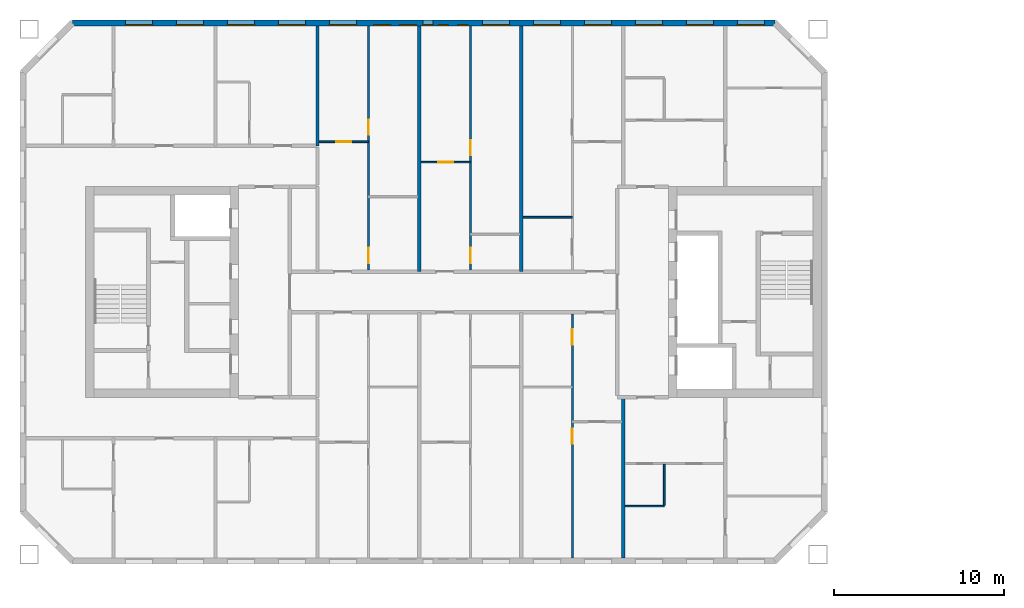
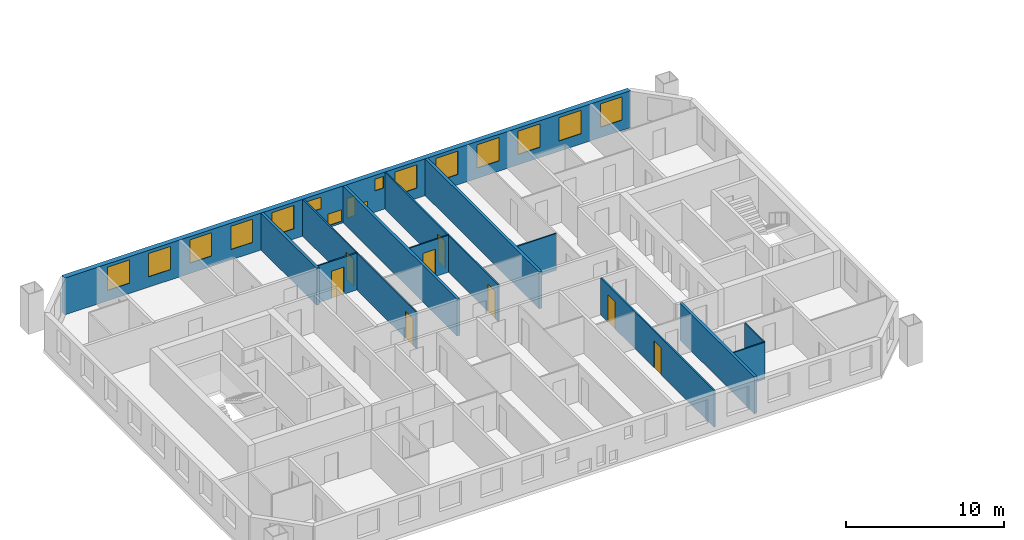
# One storey, part 5 of 15: 16 windows, 13 walls, 8 doors, 24 openings.
"""IFC4 building model written with IfcOpenShell, lengths in metres."""

from ifc_helpers import new_model, si_unit, direction, frame, frame_2d, origin, place, context, subcontext, project, spatial, rectangle, extrude, material, layer, layer_set, type_object, element, fill, save


model = new_model("IFC4")

# Units and contexts
model_context = context("Model", 3, precision=1e-05, world=origin(), true_north=direction((0.0, 1.0)))
body_context = subcontext(model_context, "Body", "Model", "MODEL_VIEW")
ifc_project = project(units=[si_unit("LENGTHUNIT", "METRE"), si_unit("AREAUNIT", "SQUARE_METRE"), si_unit("VOLUMEUNIT", "CUBIC_METRE"), si_unit("PLANEANGLEUNIT", "RADIAN"), si_unit("MASSUNIT", "GRAM", prefix="KILO")], contexts=[model_context])

# Site, building, storey
site_placement = place(None, origin())
site = spatial("IfcSite", under=ifc_project, at=site_placement, CompositionType="ELEMENT")
building_placement = place(site_placement, origin())
building = spatial("IfcBuilding", under=site, at=building_placement, Name="Tuart Gate Housing", CompositionType="ELEMENT")
storey_placement = place(building_placement, frame((0.0, 0.0, 164.0)))
storey = spatial("IfcBuildingStorey", under=building, at=storey_placement, Name="L46", CompositionType="ELEMENT", Elevation=164.0)

# Wall, openings, windows
ifc_material_1 = material(Name="Brick", Category="masonry")
ifc_layer_1 = layer(ifc_material_1, 0.360107421875)
ifc_layer_set_1 = layer_set([ifc_layer_1], Name="Brick pier and spandrel wall 360")
wall_type_1 = type_object("IfcWallType", Name="Brick pier and spandrel wall 360", PredefinedType="STANDARD", material=ifc_layer_set_1)
wall_1_placement = place(storey_placement, frame((72.92529296875, 85.820068359375, 0.0), z_axis=(0.0, 0.0, 1.0), x_axis=(-1.0, 0.0, 0.0)))
wall_1 = element("IfcWall", 1, at=wall_1_placement, inside=storey, type_object=wall_type_1, Name="External wall A-N L46", PredefinedType="STANDARD", context=body_context, shape_type="SweptSolid", body=[
    extrude(rectangle(XDim=41.350830078125, YDim=0.360107421875, at=frame_2d((20.67529296875, 0.0))), origin(), (0.0, 0.0, 1.0), 2.85009765625),
])
opening_1_placement = place(wall_1_placement, frame((0.62548828125, 0.0, 0.800048828125)))
opening_1 = element("IfcOpeningElement", 2, at=opening_1_placement, cuts=wall_1, Name="Opening W1", PredefinedType="OPENING", context=body_context, shape_type="SweptSolid", body=[
    extrude(rectangle(XDim=1.60009765625, YDim=1.800048828125, at=frame_2d((0.800048828125, 0.89990234375))), frame((0.0, 0.18994140625, 0.0), z_axis=(0.0, -1.0, 0.0), x_axis=(1.0, 0.0, 0.0)), (0.0, 0.0, 1.0), 0.380126953125),
])
opening_2_placement = place(wall_1_placement, frame((3.62548828125, 0.0, 0.800048828125)))
opening_2 = element("IfcOpeningElement", 3, at=opening_2_placement, cuts=wall_1, Name="Opening W1", PredefinedType="OPENING", context=body_context, shape_type="SweptSolid", body=[
    extrude(rectangle(XDim=1.60009765625, YDim=1.800048828125, at=frame_2d((0.800048828125, 0.89990234375))), frame((0.0, 0.18994140625, 0.0), z_axis=(0.0, -1.0, 0.0), x_axis=(1.0, 0.0, 0.0)), (0.0, 0.0, 1.0), 0.380126953125),
])
opening_3_placement = place(wall_1_placement, frame((6.62548828125, 0.0, 0.800048828125)))
opening_3 = element("IfcOpeningElement", 4, at=opening_3_placement, cuts=wall_1, Name="Opening W1", PredefinedType="OPENING", context=body_context, shape_type="SweptSolid", body=[
    extrude(rectangle(XDim=1.60009765625, YDim=1.800048828125, at=frame_2d((0.800048828125, 0.89990234375))), frame((0.0, 0.18994140625, 0.0), z_axis=(0.0, -1.0, 0.0), x_axis=(1.0, 0.0, 0.0)), (0.0, 0.0, 1.0), 0.380126953125),
])
opening_4_placement = place(wall_1_placement, frame((9.62548828125, 0.0, 0.800048828125)))
opening_4 = element("IfcOpeningElement", 5, at=opening_4_placement, cuts=wall_1, Name="Opening W1", PredefinedType="OPENING", context=body_context, shape_type="SweptSolid", body=[
    extrude(rectangle(XDim=1.60009765625, YDim=1.800048828125, at=frame_2d((0.800048828125, 0.89990234375))), frame((0.0, 0.18994140625, 0.0), z_axis=(0.0, -1.0, 0.0), x_axis=(1.0, 0.0, 0.0)), (0.0, 0.0, 1.0), 0.380126953125),
])
opening_5_placement = place(wall_1_placement, frame((12.62548828125, 0.0, 0.800048828125)))
opening_5 = element("IfcOpeningElement", 6, at=opening_5_placement, cuts=wall_1, Name="Opening W1", PredefinedType="OPENING", context=body_context, shape_type="SweptSolid", body=[
    extrude(rectangle(XDim=1.60009765625, YDim=1.800048828125, at=frame_2d((0.800048828125, 0.89990234375))), frame((0.0, 0.18994140625, 0.0), z_axis=(0.0, -1.0, 0.0), x_axis=(1.0, 0.0, 0.0)), (0.0, 0.0, 1.0), 0.380126953125),
])
opening_6_placement = place(wall_1_placement, frame((15.62548828125, 0.0, 0.800048828125)))
opening_6 = element("IfcOpeningElement", 7, at=opening_6_placement, cuts=wall_1, Name="Opening W1", PredefinedType="OPENING", context=body_context, shape_type="SweptSolid", body=[
    extrude(rectangle(XDim=1.60009765625, YDim=1.800048828125, at=frame_2d((0.800048828125, 0.89990234375))), frame((0.0, 0.18994140625, 0.0), z_axis=(0.0, -1.0, 0.0), x_axis=(1.0, 0.0, 0.0)), (0.0, 0.0, 1.0), 0.380126953125),
])
opening_7_placement = place(wall_1_placement, frame((18.075439453125, 0.0, 1.64990234375)))
opening_7 = element("IfcOpeningElement", 8, at=opening_7_placement, cuts=wall_1, Name="Opening W1W", PredefinedType="OPENING", context=body_context, shape_type="SweptSolid", body=[
    extrude(rectangle(XDim=0.60009765625, YDim=0.89990234375, at=frame_2d((0.300048828125, 0.449951171875))), frame((0.0, 0.18994140625, 0.0), z_axis=(0.0, -1.0, 0.0), x_axis=(1.0, 0.0, 0.0)), (0.0, 0.0, 1.0), 0.380126953125),
])
opening_8_placement = place(wall_1_placement, frame((21.12548828125, 0.0, 0.14990234375)))
opening_8 = element("IfcOpeningElement", 9, at=opening_8_placement, cuts=wall_1, Name="Opening W1U", PredefinedType="OPENING", context=body_context, shape_type="SweptSolid", body=[
    extrude(rectangle(XDim=1.0, YDim=0.89990234375, at=frame_2d((0.5, 0.449951171875))), frame((0.0, 0.18994140625, 0.0), z_axis=(0.0, -1.0, 0.0), x_axis=(1.0, 0.0, 0.0)), (0.0, 0.0, 1.0), 0.380126953125),
])
opening_9_placement = place(wall_1_placement, frame((24.62548828125, 0.0, 0.800048828125)))
opening_9 = element("IfcOpeningElement", 10, at=opening_9_placement, cuts=wall_1, Name="Opening W1", PredefinedType="OPENING", context=body_context, shape_type="SweptSolid", body=[
    extrude(rectangle(XDim=1.60009765625, YDim=1.800048828125, at=frame_2d((0.800048828125, 0.89990234375))), frame((0.0, 0.18994140625, 0.0), z_axis=(0.0, -1.0, 0.0), x_axis=(1.0, 0.0, 0.0)), (0.0, 0.0, 1.0), 0.380126953125),
])
opening_10_placement = place(wall_1_placement, frame((27.62548828125, 0.0, 0.800048828125)))
opening_10 = element("IfcOpeningElement", 11, at=opening_10_placement, cuts=wall_1, Name="Opening W1", PredefinedType="OPENING", context=body_context, shape_type="SweptSolid", body=[
    extrude(rectangle(XDim=1.60009765625, YDim=1.800048828125, at=frame_2d((0.800048828125, 0.89990234375))), frame((0.0, 0.18994140625, 0.0), z_axis=(0.0, -1.0, 0.0), x_axis=(1.0, 0.0, 0.0)), (0.0, 0.0, 1.0), 0.380126953125),
])
opening_11_placement = place(wall_1_placement, frame((30.62548828125, 0.0, 0.800048828125)))
opening_11 = element("IfcOpeningElement", 12, at=opening_11_placement, cuts=wall_1, Name="Opening W1", PredefinedType="OPENING", context=body_context, shape_type="SweptSolid", body=[
    extrude(rectangle(XDim=1.60009765625, YDim=1.800048828125, at=frame_2d((0.800048828125, 0.89990234375))), frame((0.0, 0.18994140625, 0.0), z_axis=(0.0, -1.0, 0.0), x_axis=(1.0, 0.0, 0.0)), (0.0, 0.0, 1.0), 0.380126953125),
])
opening_12_placement = place(wall_1_placement, frame((33.62548828125, 0.0, 0.800048828125)))
opening_12 = element("IfcOpeningElement", 13, at=opening_12_placement, cuts=wall_1, Name="Opening W1", PredefinedType="OPENING", context=body_context, shape_type="SweptSolid", body=[
    extrude(rectangle(XDim=1.60009765625, YDim=1.800048828125, at=frame_2d((0.800048828125, 0.89990234375))), frame((0.0, 0.18994140625, 0.0), z_axis=(0.0, -1.0, 0.0), x_axis=(1.0, 0.0, 0.0)), (0.0, 0.0, 1.0), 0.380126953125),
])
opening_13_placement = place(wall_1_placement, frame((36.62548828125, 0.0, 0.800048828125)))
opening_13 = element("IfcOpeningElement", 14, at=opening_13_placement, cuts=wall_1, Name="Opening W1", PredefinedType="OPENING", context=body_context, shape_type="SweptSolid", body=[
    extrude(rectangle(XDim=1.60009765625, YDim=1.800048828125, at=frame_2d((0.800048828125, 0.89990234375))), frame((0.0, 0.18994140625, 0.0), z_axis=(0.0, -1.0, 0.0), x_axis=(1.0, 0.0, 0.0)), (0.0, 0.0, 1.0), 0.380126953125),
])
opening_14_placement = place(wall_1_placement, frame((19.225341796875, 0.0, 0.14990234375)))
opening_14 = element("IfcOpeningElement", 15, at=opening_14_placement, cuts=wall_1, Name="Opening W1W", PredefinedType="OPENING", context=body_context, shape_type="SweptSolid", body=[
    extrude(rectangle(XDim=0.60009765625, YDim=0.89990234375, at=frame_2d((0.300048828125, 0.449951171875))), frame((0.0, 0.18994140625, 0.0), z_axis=(0.0, -1.0, 0.0), x_axis=(1.0, 0.0, 0.0)), (0.0, 0.0, 1.0), 0.380126953125),
])
opening_15_placement = place(wall_1_placement, frame((20.12548828125, 0.0, 0.25)))
opening_15 = element("IfcOpeningElement", 16, at=opening_15_placement, cuts=wall_1, Name="Opening W1K", PredefinedType="OPENING", context=body_context, shape_type="SweptSolid", body=[
    extrude(rectangle(XDim=0.60009765625, YDim=1.5, at=frame_2d((0.300048828125, 0.75))), frame((0.0, 0.18994140625, 0.0), z_axis=(0.0, -1.0, 0.0), x_axis=(1.0, 0.0, 0.0)), (0.0, 0.0, 1.0), 0.380126953125),
])
opening_16_placement = place(wall_1_placement, frame((22.62548828125, 0.0, 1.64990234375)))
opening_16 = element("IfcOpeningElement", 17, at=opening_16_placement, cuts=wall_1, Name="Opening W1U", PredefinedType="OPENING", context=body_context, shape_type="SweptSolid", body=[
    extrude(rectangle(XDim=1.0, YDim=0.89990234375, at=frame_2d((0.5, 0.449951171875))), frame((0.0, 0.18994140625, 0.0), z_axis=(0.0, -1.0, 0.0), x_axis=(1.0, 0.0, 0.0)), (0.0, 0.0, 1.0), 0.380126953125),
])
ifc_material_2 = material(Name="Aluminium frame with clear glass", Category="aluminium")
window_type_1 = type_object("IfcWindowType", Name="Punched window 1000 x 900", PartitioningType="SINGLE_PANEL", PredefinedType="WINDOW", material=ifc_material_2)
window_1_placement = place(opening_8_placement, origin())
window_1 = element("IfcWindow", 18, at=window_1_placement, inside=storey, type_object=window_type_1, Name="Window W1U", OverallHeight=0.89990234375, OverallWidth=1.0, PartitioningType="SINGLE_PANEL", PredefinedType="WINDOW", context=body_context, shape_type="SweptSolid", body=[
    extrude(rectangle(XDim=1.0, YDim=0.89990234375, at=frame_2d((0.5, 0.449951171875))), frame((0.0, 0.150146484375, 0.0), z_axis=(0.0, -1.0, 0.0), x_axis=(1.0, 0.0, 0.0)), (0.0, 0.0, 1.0), 0.06005859375),
])
fill(opening_8, window_1)
window_2_placement = place(opening_16_placement, origin())
window_2 = element("IfcWindow", 19, at=window_2_placement, inside=storey, type_object=window_type_1, Name="Window W1U", OverallHeight=0.89990234375, OverallWidth=1.0, PartitioningType="SINGLE_PANEL", PredefinedType="WINDOW", context=body_context, shape_type="SweptSolid", body=[
    extrude(rectangle(XDim=1.0, YDim=0.89990234375, at=frame_2d((0.5, 0.449951171875))), frame((0.0, 0.150146484375, 0.0), z_axis=(0.0, -1.0, 0.0), x_axis=(1.0, 0.0, 0.0)), (0.0, 0.0, 1.0), 0.06005859375),
])
fill(opening_16, window_2)
ifc_material_3 = material(Name="Aluminium frame with clear glass", Category="aluminium")
window_type_2 = type_object("IfcWindowType", Name="Punched window 1600 x 1800", PartitioningType="SINGLE_PANEL", PredefinedType="WINDOW", material=ifc_material_3)
window_3_placement = place(opening_1_placement, origin())
window_3 = element("IfcWindow", 20, at=window_3_placement, inside=storey, type_object=window_type_2, Name="Window W1", OverallHeight=1.800048828125, OverallWidth=1.60009765625, PartitioningType="SINGLE_PANEL", PredefinedType="WINDOW", context=body_context, shape_type="SweptSolid", body=[
    extrude(rectangle(XDim=1.60009765625, YDim=1.800048828125, at=frame_2d((0.800048828125, 0.89990234375))), frame((0.0, 0.150146484375, 0.0), z_axis=(0.0, -1.0, 0.0), x_axis=(1.0, 0.0, 0.0)), (0.0, 0.0, 1.0), 0.06005859375),
])
fill(opening_1, window_3)
window_4_placement = place(opening_2_placement, origin())
window_4 = element("IfcWindow", 21, at=window_4_placement, inside=storey, type_object=window_type_2, Name="Window W1", OverallHeight=1.800048828125, OverallWidth=1.60009765625, PartitioningType="SINGLE_PANEL", PredefinedType="WINDOW", context=body_context, shape_type="SweptSolid", body=[
    extrude(rectangle(XDim=1.60009765625, YDim=1.800048828125, at=frame_2d((0.800048828125, 0.89990234375))), frame((0.0, 0.150146484375, 0.0), z_axis=(0.0, -1.0, 0.0), x_axis=(1.0, 0.0, 0.0)), (0.0, 0.0, 1.0), 0.06005859375),
])
fill(opening_2, window_4)
window_5_placement = place(opening_3_placement, origin())
window_5 = element("IfcWindow", 22, at=window_5_placement, inside=storey, type_object=window_type_2, Name="Window W1", OverallHeight=1.800048828125, OverallWidth=1.60009765625, PartitioningType="SINGLE_PANEL", PredefinedType="WINDOW", context=body_context, shape_type="SweptSolid", body=[
    extrude(rectangle(XDim=1.60009765625, YDim=1.800048828125, at=frame_2d((0.800048828125, 0.89990234375))), frame((0.0, 0.150146484375, 0.0), z_axis=(0.0, -1.0, 0.0), x_axis=(1.0, 0.0, 0.0)), (0.0, 0.0, 1.0), 0.06005859375),
])
fill(opening_3, window_5)
window_6_placement = place(opening_4_placement, origin())
window_6 = element("IfcWindow", 23, at=window_6_placement, inside=storey, type_object=window_type_2, Name="Window W1", OverallHeight=1.800048828125, OverallWidth=1.60009765625, PartitioningType="SINGLE_PANEL", PredefinedType="WINDOW", context=body_context, shape_type="SweptSolid", body=[
    extrude(rectangle(XDim=1.60009765625, YDim=1.800048828125, at=frame_2d((0.800048828125, 0.89990234375))), frame((0.0, 0.150146484375, 0.0), z_axis=(0.0, -1.0, 0.0), x_axis=(1.0, 0.0, 0.0)), (0.0, 0.0, 1.0), 0.06005859375),
])
fill(opening_4, window_6)
window_7_placement = place(opening_5_placement, origin())
window_7 = element("IfcWindow", 24, at=window_7_placement, inside=storey, type_object=window_type_2, Name="Window W1", OverallHeight=1.800048828125, OverallWidth=1.60009765625, PartitioningType="SINGLE_PANEL", PredefinedType="WINDOW", context=body_context, shape_type="SweptSolid", body=[
    extrude(rectangle(XDim=1.60009765625, YDim=1.800048828125, at=frame_2d((0.800048828125, 0.89990234375))), frame((0.0, 0.150146484375, 0.0), z_axis=(0.0, -1.0, 0.0), x_axis=(1.0, 0.0, 0.0)), (0.0, 0.0, 1.0), 0.06005859375),
])
fill(opening_5, window_7)
window_8_placement = place(opening_6_placement, origin())
window_8 = element("IfcWindow", 25, at=window_8_placement, inside=storey, type_object=window_type_2, Name="Window W1", OverallHeight=1.800048828125, OverallWidth=1.60009765625, PartitioningType="SINGLE_PANEL", PredefinedType="WINDOW", context=body_context, shape_type="SweptSolid", body=[
    extrude(rectangle(XDim=1.60009765625, YDim=1.800048828125, at=frame_2d((0.800048828125, 0.89990234375))), frame((0.0, 0.150146484375, 0.0), z_axis=(0.0, -1.0, 0.0), x_axis=(1.0, 0.0, 0.0)), (0.0, 0.0, 1.0), 0.06005859375),
])
fill(opening_6, window_8)
window_9_placement = place(opening_9_placement, origin())
window_9 = element("IfcWindow", 26, at=window_9_placement, inside=storey, type_object=window_type_2, Name="Window W1", OverallHeight=1.800048828125, OverallWidth=1.60009765625, PartitioningType="SINGLE_PANEL", PredefinedType="WINDOW", context=body_context, shape_type="SweptSolid", body=[
    extrude(rectangle(XDim=1.60009765625, YDim=1.800048828125, at=frame_2d((0.800048828125, 0.89990234375))), frame((0.0, 0.150146484375, 0.0), z_axis=(0.0, -1.0, 0.0), x_axis=(1.0, 0.0, 0.0)), (0.0, 0.0, 1.0), 0.06005859375),
])
fill(opening_9, window_9)
window_10_placement = place(opening_10_placement, origin())
window_10 = element("IfcWindow", 27, at=window_10_placement, inside=storey, type_object=window_type_2, Name="Window W1", OverallHeight=1.800048828125, OverallWidth=1.60009765625, PartitioningType="SINGLE_PANEL", PredefinedType="WINDOW", context=body_context, shape_type="SweptSolid", body=[
    extrude(rectangle(XDim=1.60009765625, YDim=1.800048828125, at=frame_2d((0.800048828125, 0.89990234375))), frame((0.0, 0.150146484375, 0.0), z_axis=(0.0, -1.0, 0.0), x_axis=(1.0, 0.0, 0.0)), (0.0, 0.0, 1.0), 0.06005859375),
])
fill(opening_10, window_10)
window_11_placement = place(opening_11_placement, origin())
window_11 = element("IfcWindow", 28, at=window_11_placement, inside=storey, type_object=window_type_2, Name="Window W1", OverallHeight=1.800048828125, OverallWidth=1.60009765625, PartitioningType="SINGLE_PANEL", PredefinedType="WINDOW", context=body_context, shape_type="SweptSolid", body=[
    extrude(rectangle(XDim=1.60009765625, YDim=1.800048828125, at=frame_2d((0.800048828125, 0.89990234375))), frame((0.0, 0.150146484375, 0.0), z_axis=(0.0, -1.0, 0.0), x_axis=(1.0, 0.0, 0.0)), (0.0, 0.0, 1.0), 0.06005859375),
])
fill(opening_11, window_11)
window_12_placement = place(opening_12_placement, origin())
window_12 = element("IfcWindow", 29, at=window_12_placement, inside=storey, type_object=window_type_2, Name="Window W1", OverallHeight=1.800048828125, OverallWidth=1.60009765625, PartitioningType="SINGLE_PANEL", PredefinedType="WINDOW", context=body_context, shape_type="SweptSolid", body=[
    extrude(rectangle(XDim=1.60009765625, YDim=1.800048828125, at=frame_2d((0.800048828125, 0.89990234375))), frame((0.0, 0.150146484375, 0.0), z_axis=(0.0, -1.0, 0.0), x_axis=(1.0, 0.0, 0.0)), (0.0, 0.0, 1.0), 0.06005859375),
])
fill(opening_12, window_12)
window_13_placement = place(opening_13_placement, origin())
window_13 = element("IfcWindow", 30, at=window_13_placement, inside=storey, type_object=window_type_2, Name="Window W1", OverallHeight=1.800048828125, OverallWidth=1.60009765625, PartitioningType="SINGLE_PANEL", PredefinedType="WINDOW", context=body_context, shape_type="SweptSolid", body=[
    extrude(rectangle(XDim=1.60009765625, YDim=1.800048828125, at=frame_2d((0.800048828125, 0.89990234375))), frame((0.0, 0.150146484375, 0.0), z_axis=(0.0, -1.0, 0.0), x_axis=(1.0, 0.0, 0.0)), (0.0, 0.0, 1.0), 0.06005859375),
])
fill(opening_13, window_13)
ifc_material_4 = material(Name="Aluminium frame with clear glass", Category="aluminium")
window_type_3 = type_object("IfcWindowType", Name="Punched window 600 x 1500", PartitioningType="SINGLE_PANEL", PredefinedType="WINDOW", material=ifc_material_4)
window_14_placement = place(opening_15_placement, origin())
window_14 = element("IfcWindow", 31, at=window_14_placement, inside=storey, type_object=window_type_3, Name="Window W1K", OverallHeight=1.5, OverallWidth=0.60009765625, PartitioningType="SINGLE_PANEL", PredefinedType="WINDOW", context=body_context, shape_type="SweptSolid", body=[
    extrude(rectangle(XDim=0.60009765625, YDim=1.5, at=frame_2d((0.300048828125, 0.75))), frame((0.0, 0.150146484375, 0.0), z_axis=(0.0, -1.0, 0.0), x_axis=(1.0, 0.0, 0.0)), (0.0, 0.0, 1.0), 0.06005859375),
])
fill(opening_15, window_14)
ifc_material_5 = material(Name="Aluminium frame with clear glass", Category="aluminium")
window_type_4 = type_object("IfcWindowType", Name="Punched window 600 x 900", PartitioningType="SINGLE_PANEL", PredefinedType="WINDOW", material=ifc_material_5)
window_15_placement = place(opening_7_placement, origin())
window_15 = element("IfcWindow", 32, at=window_15_placement, inside=storey, type_object=window_type_4, Name="Window W1W", OverallHeight=0.89990234375, OverallWidth=0.60009765625, PartitioningType="SINGLE_PANEL", PredefinedType="WINDOW", context=body_context, shape_type="SweptSolid", body=[
    extrude(rectangle(XDim=0.60009765625, YDim=0.89990234375, at=frame_2d((0.300048828125, 0.449951171875))), frame((0.0, 0.150146484375, 0.0), z_axis=(0.0, -1.0, 0.0), x_axis=(1.0, 0.0, 0.0)), (0.0, 0.0, 1.0), 0.06005859375),
])
fill(opening_7, window_15)
window_16_placement = place(opening_14_placement, origin())
window_16 = element("IfcWindow", 33, at=window_16_placement, inside=storey, type_object=window_type_4, Name="Window W1W", OverallHeight=0.89990234375, OverallWidth=0.60009765625, PartitioningType="SINGLE_PANEL", PredefinedType="WINDOW", context=body_context, shape_type="SweptSolid", body=[
    extrude(rectangle(XDim=0.60009765625, YDim=0.89990234375, at=frame_2d((0.300048828125, 0.449951171875))), frame((0.0, 0.150146484375, 0.0), z_axis=(0.0, -1.0, 0.0), x_axis=(1.0, 0.0, 0.0)), (0.0, 0.0, 1.0), 0.06005859375),
])
fill(opening_14, window_16)

# Walls
ifc_material_6 = material(Name="Gypsum board on steel studs", Category="steel")
ifc_layer_2 = layer(ifc_material_6, 0.10009765625)
ifc_layer_set_2 = layer_set([ifc_layer_2], Name="Partition 100")
wall_type_2 = type_object("IfcWallType", Name="Partition 100", PredefinedType="PARTITIONING", material=ifc_layer_set_2)
wall_2_placement = place(storey_placement, frame((64.10009765625, 57.39990234375, 0.0), z_axis=(0.0, 0.0, 1.0), x_axis=(1.0, 0.0, 0.0)))
element("IfcWall", 34, at=wall_2_placement, inside=storey, type_object=wall_type_2, Name="Partition 100", PredefinedType="PARTITIONING", context=body_context, shape_type="SweptSolid", body=[
    extrude(rectangle(XDim=2.2998046875, YDim=0.10009765625, at=frame_2d((1.14990234375, 0.0))), origin(), (0.0, 0.0, 1.0), 2.85009765625),
])
wall_3_placement = place(storey_placement, frame((58.10009765625, 74.39990234375, 0.0), z_axis=(0.0, 0.0, 1.0), x_axis=(1.0, 0.0, 0.0)))
element("IfcWall", 35, at=wall_3_placement, inside=storey, type_object=wall_type_2, Name="Partition 100", PredefinedType="PARTITIONING", context=body_context, shape_type="SweptSolid", body=[
    extrude(rectangle(XDim=2.89990234375, YDim=0.10009765625, at=frame_2d((1.449951171875, 0.0))), origin(), (0.0, 0.0, 1.0), 2.85009765625),
])

# Wall, opening, door
wall_4_placement = place(storey_placement, frame((52.10009765625, 77.639892578125, 0.0), z_axis=(0.0, 0.0, 1.0), x_axis=(1.0, 0.0, 0.0)))
wall_4 = element("IfcWall", 36, at=wall_4_placement, inside=storey, type_object=wall_type_2, Name="Partition 100", PredefinedType="PARTITIONING", context=body_context, shape_type="SweptSolid", body=[
    extrude(rectangle(XDim=2.89990234375, YDim=0.10009765625, at=frame_2d((1.449951171875, 0.0))), origin(), (0.0, 0.0, 1.0), 2.85009765625),
])
opening_17_placement = place(wall_4_placement, frame((1.0, 0.0, 0.0)))
opening_17 = element("IfcOpeningElement", 37, at=opening_17_placement, cuts=wall_4, Name="Opening D1640", PredefinedType="OPENING", context=body_context, shape_type="SweptSolid", body=[
    extrude(rectangle(XDim=0.89990234375, YDim=2.10009765625, at=frame_2d((0.449951171875, 1.050048828125))), frame((0.0, 0.06005859375, 0.0), z_axis=(0.0, -1.0, 0.0), x_axis=(1.0, 0.0, 0.0)), (0.0, 0.0, 1.0), 0.1201171875),
])
ifc_material_7 = material(Name="Timber door leaf in steel frame", Category="steel")
door_type_1 = type_object("IfcDoorType", Name="Internal door 900", OperationType="SINGLE_SWING_LEFT", PredefinedType="DOOR", material=ifc_material_7)
door_1_placement = place(opening_17_placement, frame((0.89990234375, 0.0, 0.0), z_axis=(0.0, 0.0, 1.0), x_axis=(-1.0, 0.0, 0.0)))
door_1 = element("IfcDoor", 38, at=door_1_placement, inside=storey, type_object=door_type_1, Name="Internal door", OperationType="SINGLE_SWING_LEFT", OverallHeight=2.10009765625, OverallWidth=0.89990234375, PredefinedType="DOOR", context=body_context, shape_type="SweptSolid", body=[
    extrude(rectangle(XDim=0.89990234375, YDim=2.10009765625, at=frame_2d((0.449951171875, 1.050048828125))), frame((0.0, 0.025146484375, 0.0), z_axis=(0.0, -1.0, 0.0), x_axis=(1.0, 0.0, 0.0)), (0.0, 0.0, 1.0), 0.050048828125),
])
fill(opening_17, door_1)

wall_5_placement = place(storey_placement, frame((46.10009765625, 78.840087890625, 0.0), z_axis=(0.0, 0.0, 1.0), x_axis=(1.0, 0.0, 0.0)))
wall_5 = element("IfcWall", 39, at=wall_5_placement, inside=storey, type_object=wall_type_2, Name="Partition 100", PredefinedType="PARTITIONING", context=body_context, shape_type="SweptSolid", body=[
    extrude(rectangle(XDim=2.89990234375, YDim=0.10009765625, at=frame_2d((1.449951171875, 0.0))), origin(), (0.0, 0.0, 1.0), 2.85009765625),
])
opening_18_placement = place(wall_5_placement, frame((1.0, 0.0, 0.0)))
opening_18 = element("IfcOpeningElement", 40, at=opening_18_placement, cuts=wall_5, Name="Opening D1630", PredefinedType="OPENING", context=body_context, shape_type="SweptSolid", body=[
    extrude(rectangle(XDim=0.89990234375, YDim=2.10009765625, at=frame_2d((0.449951171875, 1.050048828125))), frame((0.0, 0.06005859375, 0.0), z_axis=(0.0, -1.0, 0.0), x_axis=(1.0, 0.0, 0.0)), (0.0, 0.0, 1.0), 0.1201171875),
])
door_2_placement = place(opening_18_placement, frame((0.89990234375, 0.0, 0.0), z_axis=(0.0, 0.0, 1.0), x_axis=(-1.0, 0.0, 0.0)))
door_2 = element("IfcDoor", 41, at=door_2_placement, inside=storey, type_object=door_type_1, Name="Internal door", OperationType="SINGLE_SWING_LEFT", OverallHeight=2.10009765625, OverallWidth=0.89990234375, PredefinedType="DOOR", context=body_context, shape_type="SweptSolid", body=[
    extrude(rectangle(XDim=0.89990234375, YDim=2.10009765625, at=frame_2d((0.449951171875, 1.050048828125))), frame((0.0, 0.025146484375, 0.0), z_axis=(0.0, -1.0, 0.0), x_axis=(1.0, 0.0, 0.0)), (0.0, 0.0, 1.0), 0.050048828125),
])
fill(opening_18, door_2)

# Wall, openings, doors
wall_6_placement = place(storey_placement, frame((49.0, 71.300048828125, 0.0), z_axis=(0.0, 0.0, 1.0), x_axis=(0.0, 1.0, 0.0)))
wall_6 = element("IfcWall", 42, at=wall_6_placement, inside=storey, type_object=wall_type_2, Name="Partition 100", PredefinedType="PARTITIONING", context=body_context, shape_type="SweptSolid", body=[
    extrude(rectangle(XDim=14.33984375, YDim=0.10009765625, at=frame_2d((7.169921875, 0.0))), origin(), (0.0, 0.0, 1.0), 2.85009765625),
])
opening_19_placement = place(wall_6_placement, frame((7.93994140625, 0.0, 0.0)))
opening_19 = element("IfcOpeningElement", 43, at=opening_19_placement, cuts=wall_6, Name="Opening D1635", PredefinedType="OPENING", context=body_context, shape_type="SweptSolid", body=[
    extrude(rectangle(XDim=0.89990234375, YDim=2.10009765625, at=frame_2d((0.449951171875, 1.050048828125))), frame((0.0, 0.06005859375, 0.0), z_axis=(0.0, -1.0, 0.0), x_axis=(1.0, 0.0, 0.0)), (0.0, 0.0, 1.0), 0.1201171875),
])
opening_20_placement = place(wall_6_placement, frame((0.39990234375, 0.0, 0.0)))
opening_20 = element("IfcOpeningElement", 44, at=opening_20_placement, cuts=wall_6, Name="Opening D1634", PredefinedType="OPENING", context=body_context, shape_type="SweptSolid", body=[
    extrude(rectangle(XDim=0.89990234375, YDim=2.10009765625, at=frame_2d((0.449951171875, 1.050048828125))), frame((0.0, 0.06005859375, 0.0), z_axis=(0.0, -1.0, 0.0), x_axis=(1.0, 0.0, 0.0)), (0.0, 0.0, 1.0), 0.1201171875),
])
ifc_material_8 = material(Name="Timber door leaf in steel frame", Category="steel")
door_type_2 = type_object("IfcDoorType", Name="Bathroom door 900 RH", OperationType="SINGLE_SWING_RIGHT", PredefinedType="DOOR", material=ifc_material_8)
door_3_placement = place(opening_20_placement, frame((0.89990234375, 0.0, 0.0), z_axis=(0.0, 0.0, 1.0), x_axis=(-1.0, 0.0, 0.0)))
door_3 = element("IfcDoor", 45, at=door_3_placement, inside=storey, type_object=door_type_2, Name="Bathroom door", OperationType="SINGLE_SWING_RIGHT", OverallHeight=2.10009765625, OverallWidth=0.89990234375, PredefinedType="DOOR", context=body_context, shape_type="SweptSolid", body=[
    extrude(rectangle(XDim=0.89990234375, YDim=2.10009765625, at=frame_2d((0.449951171875, 1.050048828125))), frame((0.0, 0.025146484375, 0.0), z_axis=(0.0, -1.0, 0.0), x_axis=(1.0, 0.0, 0.0)), (0.0, 0.0, 1.0), 0.050048828125),
])
fill(opening_20, door_3)
ifc_material_9 = material(Name="Timber door leaf in steel frame", Category="steel")
door_type_3 = type_object("IfcDoorType", Name="Internal door 900 RH", OperationType="SINGLE_SWING_RIGHT", PredefinedType="DOOR", material=ifc_material_9)
door_4_placement = place(opening_19_placement, frame((0.89990234375, 0.0, 0.0), z_axis=(0.0, 0.0, 1.0), x_axis=(-1.0, 0.0, 0.0)))
door_4 = element("IfcDoor", 46, at=door_4_placement, inside=storey, type_object=door_type_3, Name="Internal door", OperationType="SINGLE_SWING_RIGHT", OverallHeight=2.10009765625, OverallWidth=0.89990234375, PredefinedType="DOOR", context=body_context, shape_type="SweptSolid", body=[
    extrude(rectangle(XDim=0.89990234375, YDim=2.10009765625, at=frame_2d((0.449951171875, 1.050048828125))), frame((0.0, 0.025146484375, 0.0), z_axis=(0.0, -1.0, 0.0), x_axis=(1.0, 0.0, 0.0)), (0.0, 0.0, 1.0), 0.050048828125),
])
fill(opening_19, door_4)

wall_7_placement = place(storey_placement, frame((55.0, 71.300048828125, 0.0), z_axis=(0.0, 0.0, 1.0), x_axis=(0.0, 1.0, 0.0)))
wall_7 = element("IfcWall", 47, at=wall_7_placement, inside=storey, type_object=wall_type_2, Name="Partition 100", PredefinedType="PARTITIONING", context=body_context, shape_type="SweptSolid", body=[
    extrude(rectangle(XDim=14.33984375, YDim=0.10009765625, at=frame_2d((7.169921875, 0.0))), origin(), (0.0, 0.0, 1.0), 2.85009765625),
])
opening_21_placement = place(wall_7_placement, frame((6.739990234375, 0.0, 0.0)))
opening_21 = element("IfcOpeningElement", 48, at=opening_21_placement, cuts=wall_7, Name="Opening D1637", PredefinedType="OPENING", context=body_context, shape_type="SweptSolid", body=[
    extrude(rectangle(XDim=0.89990234375, YDim=2.10009765625, at=frame_2d((0.449951171875, 1.050048828125))), frame((0.0, 0.06005859375, 0.0), z_axis=(0.0, -1.0, 0.0), x_axis=(1.0, 0.0, 0.0)), (0.0, 0.0, 1.0), 0.1201171875),
])
opening_22_placement = place(wall_7_placement, frame((0.39990234375, 0.0, 0.0)))
opening_22 = element("IfcOpeningElement", 49, at=opening_22_placement, cuts=wall_7, Name="Opening D1636", PredefinedType="OPENING", context=body_context, shape_type="SweptSolid", body=[
    extrude(rectangle(XDim=0.89990234375, YDim=2.10009765625, at=frame_2d((0.449951171875, 1.050048828125))), frame((0.0, 0.06005859375, 0.0), z_axis=(0.0, -1.0, 0.0), x_axis=(1.0, 0.0, 0.0)), (0.0, 0.0, 1.0), 0.1201171875),
])
door_5_placement = place(opening_22_placement, frame((0.89990234375, 0.0, 0.0), z_axis=(0.0, 0.0, 1.0), x_axis=(-1.0, 0.0, 0.0)))
door_5 = element("IfcDoor", 50, at=door_5_placement, inside=storey, type_object=door_type_2, Name="Bathroom door", OperationType="SINGLE_SWING_RIGHT", OverallHeight=2.10009765625, OverallWidth=0.89990234375, PredefinedType="DOOR", context=body_context, shape_type="SweptSolid", body=[
    extrude(rectangle(XDim=0.89990234375, YDim=2.10009765625, at=frame_2d((0.449951171875, 1.050048828125))), frame((0.0, 0.025146484375, 0.0), z_axis=(0.0, -1.0, 0.0), x_axis=(1.0, 0.0, 0.0)), (0.0, 0.0, 1.0), 0.050048828125),
])
fill(opening_22, door_5)
door_6_placement = place(opening_21_placement, frame((0.89990234375, 0.0, 0.0), z_axis=(0.0, 0.0, 1.0), x_axis=(-1.0, 0.0, 0.0)))
door_6 = element("IfcDoor", 51, at=door_6_placement, inside=storey, type_object=door_type_3, Name="Internal door", OperationType="SINGLE_SWING_RIGHT", OverallHeight=2.10009765625, OverallWidth=0.89990234375, PredefinedType="DOOR", context=body_context, shape_type="SweptSolid", body=[
    extrude(rectangle(XDim=0.89990234375, YDim=2.10009765625, at=frame_2d((0.449951171875, 1.050048828125))), frame((0.0, 0.025146484375, 0.0), z_axis=(0.0, -1.0, 0.0), x_axis=(1.0, 0.0, 0.0)), (0.0, 0.0, 1.0), 0.050048828125),
])
fill(opening_21, door_6)

wall_8_placement = place(storey_placement, frame((61.0, 54.360107421875, 0.0), z_axis=(0.0, 0.0, 1.0), x_axis=(0.0, 1.0, 0.0)))
wall_8 = element("IfcWall", 52, at=wall_8_placement, inside=storey, type_object=wall_type_2, Name="Partition 100", PredefinedType="PARTITIONING", context=body_context, shape_type="SweptSolid", body=[
    extrude(rectangle(XDim=14.33984375, YDim=0.10009765625, at=frame_2d((7.169921875, 0.0))), origin(), (0.0, 0.0, 1.0), 2.85009765625),
])
opening_23_placement = place(wall_8_placement, frame((6.699951171875, 0.0, 0.0)))
opening_23 = element("IfcOpeningElement", 53, at=opening_23_placement, cuts=wall_8, Name="Opening D1669", PredefinedType="OPENING", context=body_context, shape_type="SweptSolid", body=[
    extrude(rectangle(XDim=0.89990234375, YDim=2.10009765625, at=frame_2d((0.449951171875, 1.050048828125))), frame((0.0, 0.06005859375, 0.0), z_axis=(0.0, -1.0, 0.0), x_axis=(1.0, 0.0, 0.0)), (0.0, 0.0, 1.0), 0.1201171875),
])
opening_24_placement = place(wall_8_placement, frame((12.5400390625, 0.0, 0.0)))
opening_24 = element("IfcOpeningElement", 54, at=opening_24_placement, cuts=wall_8, Name="Opening D1668", PredefinedType="OPENING", context=body_context, shape_type="SweptSolid", body=[
    extrude(rectangle(XDim=0.89990234375, YDim=2.10009765625, at=frame_2d((0.449951171875, 1.050048828125))), frame((0.0, 0.06005859375, 0.0), z_axis=(0.0, -1.0, 0.0), x_axis=(1.0, 0.0, 0.0)), (0.0, 0.0, 1.0), 0.1201171875),
])
door_7_placement = place(opening_24_placement, origin())
door_7 = element("IfcDoor", 55, at=door_7_placement, inside=storey, type_object=door_type_2, Name="Bathroom door", OperationType="SINGLE_SWING_RIGHT", OverallHeight=2.10009765625, OverallWidth=0.89990234375, PredefinedType="DOOR", context=body_context, shape_type="SweptSolid", body=[
    extrude(rectangle(XDim=0.89990234375, YDim=2.10009765625, at=frame_2d((0.449951171875, 1.050048828125))), frame((0.0, 0.02490234375, 0.0), z_axis=(0.0, -1.0, 0.0), x_axis=(1.0, 0.0, 0.0)), (0.0, 0.0, 1.0), 0.050048828125),
])
fill(opening_24, door_7)
door_8_placement = place(opening_23_placement, origin())
door_8 = element("IfcDoor", 56, at=door_8_placement, inside=storey, type_object=door_type_3, Name="Internal door", OperationType="SINGLE_SWING_RIGHT", OverallHeight=2.10009765625, OverallWidth=0.89990234375, PredefinedType="DOOR", context=body_context, shape_type="SweptSolid", body=[
    extrude(rectangle(XDim=0.89990234375, YDim=2.10009765625, at=frame_2d((0.449951171875, 1.050048828125))), frame((0.0, 0.02490234375, 0.0), z_axis=(0.0, -1.0, 0.0), x_axis=(1.0, 0.0, 0.0)), (0.0, 0.0, 1.0), 0.050048828125),
])
fill(opening_23, door_8)

# Walls
wall_9_placement = place(storey_placement, frame((66.39990234375, 57.449951171875, 0.0), z_axis=(0.0, 0.0, 1.0), x_axis=(0.0, 1.0, 0.0)))
element("IfcWall", 57, at=wall_9_placement, inside=storey, type_object=wall_type_2, Name="Partition 100", PredefinedType="PARTITIONING", context=body_context, shape_type="SweptSolid", body=[
    extrude(rectangle(XDim=2.400146484375, YDim=0.10009765625, at=frame_2d((1.2001953125, 0.0))), origin(), (0.0, 0.0, 1.0), 2.85009765625),
])
ifc_material_10 = material(Name="Concrete C40", Category="concrete")
ifc_layer_3 = layer(ifc_material_10, 0.199951171875)
ifc_layer_set_3 = layer_set([ifc_layer_3], Name="Party wall concrete C40 200")
wall_type_3 = type_object("IfcWallType", Name="Party wall concrete C40 200", PredefinedType="SOLIDWALL", material=ifc_layer_set_3)
wall_10_placement = place(storey_placement, frame((46.0, 78.60009765625, 0.0), z_axis=(0.0, 0.0, 1.0), x_axis=(0.0, 1.0, 0.0)))
element("IfcWall", 58, at=wall_10_placement, inside=storey, type_object=wall_type_3, Name="Party wall concrete C40 200", PredefinedType="SOLIDWALL", context=body_context, shape_type="SweptSolid", body=[
    extrude(rectangle(XDim=7.039794921875, YDim=0.199951171875, at=frame_2d((3.52001953125, 0.0))), origin(), (0.0, 0.0, 1.0), 2.85009765625),
])
for number, where, z_axis, x_axis, name in (
    (59, (52.0, 71.199951171875, 0.0), (0.0, 0.0, 1.0), (0.0, 1.0, 0.0), "Party wall concrete C40 200"),
    (60, (58.0, 71.199951171875, 0.0), (0.0, 0.0, 1.0), (0.0, 1.0, 0.0), "Party wall concrete C40 200"),
):
    element("IfcWall", number, at=place(storey_placement, frame(where, z_axis=z_axis, x_axis=x_axis)), inside=storey, type_object=wall_type_3, Name=name, PredefinedType="SOLIDWALL", context=body_context, shape_type="SweptSolid", body=[
        extrude(rectangle(XDim=14.43994140625, YDim=0.199951171875, at=frame_2d((7.219970703125, 0.0))), origin(), (0.0, 0.0, 1.0), 2.85009765625),
    ])
wall_11_placement = place(storey_placement, frame((64.0, 54.360107421875, 0.0), z_axis=(0.0, 0.0, 1.0), x_axis=(0.0, 1.0, 0.0)))
element("IfcWall", 61, at=wall_11_placement, inside=storey, type_object=wall_type_3, Name="Party wall concrete C40 200", PredefinedType="SOLIDWALL", context=body_context, shape_type="SweptSolid", body=[
    extrude(rectangle(XDim=9.43994140625, YDim=0.199951171875, at=frame_2d((4.719970703125, 0.0))), origin(), (0.0, 0.0, 1.0), 2.85009765625),
])

save(model, "model.ifc")
